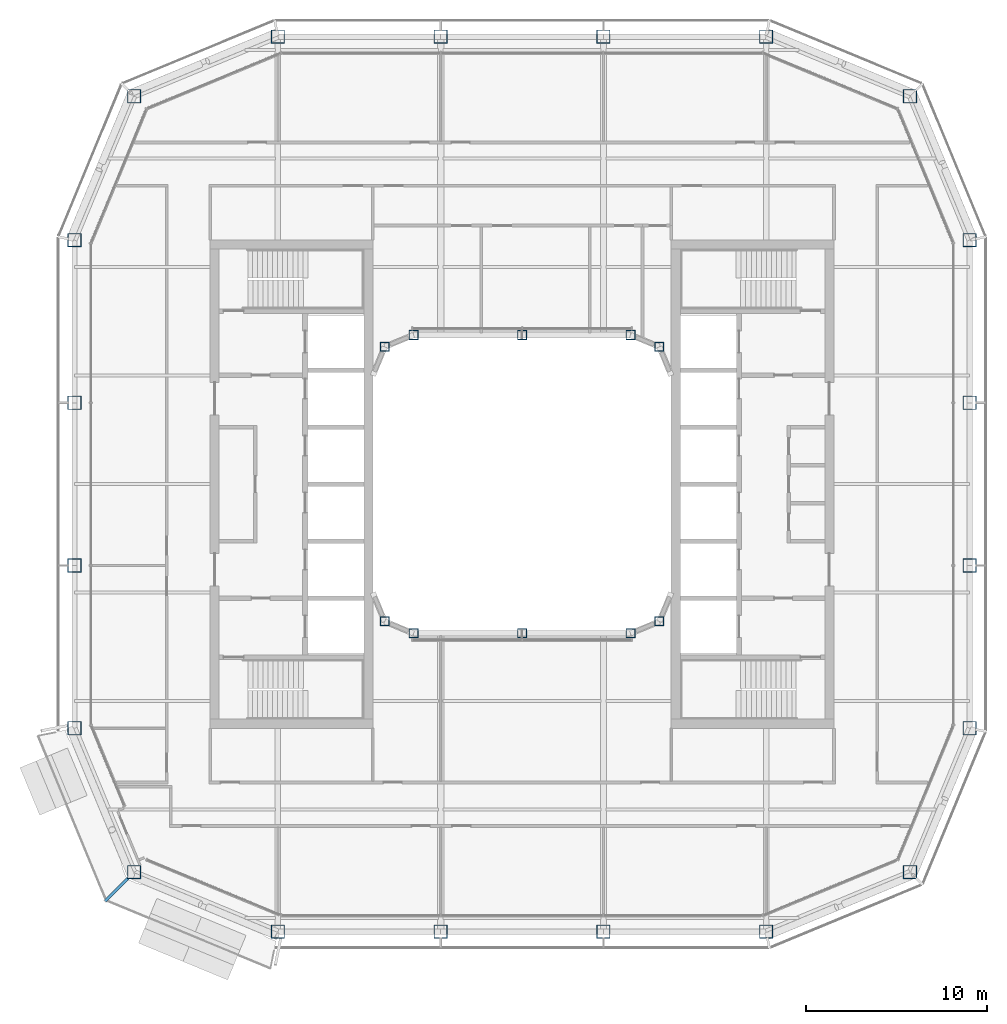
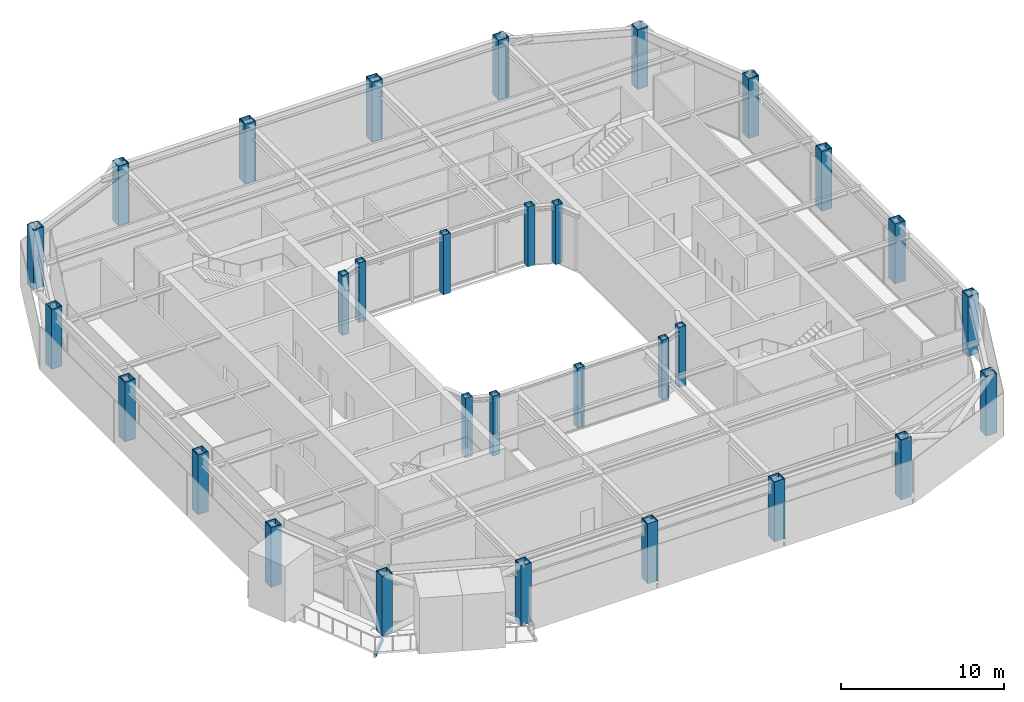
# One storey, part 1 of 20: 30 columns, 1 beam.
"""IFC4 building model written with IfcOpenShell, lengths in metres."""

from ifc_helpers import new_model, si_unit, direction, frame, origin, origin_2d, place, context, subcontext, project, spatial, hollow_rectangle, extrude, material, material_profile, profile_set, type_object, element, save


model = new_model("IFC4")

# Units and contexts
model_context = context("Model", 3, precision=1e-05, world=origin(), true_north=direction((0.0, 1.0)))
body_context = subcontext(model_context, "Body", "Model", "MODEL_VIEW")
ifc_project = project(units=[si_unit("LENGTHUNIT", "METRE"), si_unit("AREAUNIT", "SQUARE_METRE"), si_unit("VOLUMEUNIT", "CUBIC_METRE"), si_unit("PLANEANGLEUNIT", "RADIAN"), si_unit("MASSUNIT", "GRAM", prefix="KILO")], contexts=[model_context])

# Site, building, storey
site_placement = place(None, origin())
site = spatial("IfcSite", under=ifc_project, at=site_placement, CompositionType="ELEMENT")
building_placement = place(site_placement, origin())
building = spatial("IfcBuilding", under=site, at=building_placement, Name="Siwar Civic Tower", CompositionType="ELEMENT")
storey_placement = place(building_placement, frame((0.0, 0.0, 316.699951171875)))
storey = spatial("IfcBuildingStorey", under=building, at=storey_placement, Name="L68", CompositionType="ELEMENT", Elevation=316.699951171875)

# Columns
ifc_material_1 = material(Name="Steel S355", Category="steel")
ifc_material_profile_1 = material_profile(ifc_material_1, hollow_rectangle(XDim=0.75, YDim=0.75, WallThickness=0.0400390625, at=origin_2d()), Name="BOX750x750x40")
ifc_profile_set_1 = profile_set([ifc_material_profile_1], Name="Steel S355")
column_type_1 = type_object("IfcColumnType", Name="STR-COL-BOX750x750x40", PredefinedType="COLUMN", material=ifc_profile_set_1)
for number, where, z_axis, x_axis, name in (
    (1, (-13.5, -24.75, 0.0), (0.0, 0.0, 1.0), (1.0, 0.0, 0.0), "L68/col/S-0"),
    (2, (-4.5, -24.75, 0.0), (0.0, 0.0, 1.0), (1.0, 0.0, 0.0), "L68/col/S-1"),
    (3, (4.5, -24.75, 0.0), (0.0, 0.0, 1.0), (1.0, 0.0, 0.0), "L68/col/S-2"),
    (4, (13.5, -24.75, 0.0), (0.0, 0.0, 1.0), (1.0, 0.0, 0.0), "L68/col/SE1-0"),
    (5, (21.454833984375, -21.454833984375, 0.0), (0.0, 0.0, 1.0), (1.0, 0.0, 0.0), "L68/col/SE2-0"),
    (6, (24.75, -13.5, 0.0), (0.0, 0.0, 1.0), (1.0, 0.0, 0.0), "L68/col/E-0"),
    (7, (24.75, -4.5, 0.0), (0.0, 0.0, 1.0), (1.0, 0.0, 0.0), "L68/col/E-1"),
    (8, (24.75, 4.5, 0.0), (0.0, 0.0, 1.0), (1.0, 0.0, 0.0), "L68/col/E-2"),
    (9, (24.75, 13.5, 0.0), (0.0, 0.0, 1.0), (1.0, 0.0, 0.0), "L68/col/NE1-0"),
    (10, (21.454833984375, 21.454833984375, 0.0), (0.0, 0.0, 1.0), (1.0, 0.0, 0.0), "L68/col/NE2-0"),
    (11, (13.5, 24.75, 0.0), (0.0, 0.0, 1.0), (1.0, 0.0, 0.0), "L68/col/N-0"),
    (12, (4.5, 24.75, 0.0), (0.0, 0.0, 1.0), (1.0, 0.0, 0.0), "L68/col/N-1"),
    (13, (-4.5, 24.75, 0.0), (0.0, 0.0, 1.0), (1.0, 0.0, 0.0), "L68/col/N-2"),
    (14, (-13.5, 24.75, 0.0), (0.0, 0.0, 1.0), (1.0, 0.0, 0.0), "L68/col/NW1-0"),
    (15, (-21.454833984375, 21.454833984375, 0.0), (0.0, 0.0, 1.0), (1.0, 0.0, 0.0), "L68/col/NW2-0"),
    (16, (-24.75, 13.5, 0.0), (0.0, 0.0, 1.0), (1.0, 0.0, 0.0), "L68/col/W-0"),
    (17, (-24.75, 4.5, 0.0), (0.0, 0.0, 1.0), (1.0, 0.0, 0.0), "L68/col/W-1"),
    (18, (-24.75, -4.5, 0.0), (0.0, 0.0, 1.0), (1.0, 0.0, 0.0), "L68/col/W-2"),
    (19, (-24.75, -13.5, 0.0), (0.0, 0.0, 1.0), (1.0, 0.0, 0.0), "L68/col/SW1-0"),
    (20, (-21.454833984375, -21.454833984375, 0.0), (0.0, 0.0, 1.0), (1.0, 0.0, 0.0), "L68/col/SW2-0"),
):
    element("IfcColumn", number, at=place(storey_placement, frame(where, z_axis=z_axis, x_axis=x_axis)), inside=storey, type_object=column_type_1, Name=name, PredefinedType="COLUMN", context=body_context, shape_type="SweptSolid", body=[
        extrude(hollow_rectangle(XDim=0.75, YDim=0.75, WallThickness=0.0400390625, at=origin_2d()), origin(), (0.0, 0.0, 1.0), 4.5),
    ])
ifc_material_2 = material(Name="Steel S355", Category="steel")
ifc_material_profile_2 = material_profile(ifc_material_2, hollow_rectangle(XDim=0.5, YDim=0.5, WallThickness=0.02490234375, at=origin_2d()), Name="BOX500x500x25")
ifc_profile_set_2 = profile_set([ifc_material_profile_2], Name="Steel S355")
column_type_2 = type_object("IfcColumnType", Name="STR-ICOL-BOX500x500x25", PredefinedType="COLUMN", material=ifc_profile_set_2)
for number, where, z_axis, x_axis, name in (
    (21, (-7.591064453125, -7.591064453125, 0.0), (0.0, 0.0, 1.0), (1.0, 0.0, 0.0), "L68/col/IS-0"),
    (22, (-6.0, -8.25, 0.0), (0.0, 0.0, 1.0), (1.0, 0.0, 0.0), "L68/col/IS-1"),
    (23, (0.0, -8.25, 0.0), (0.0, 0.0, 1.0), (1.0, 0.0, 0.0), "L68/col/IS-2"),
    (24, (6.0, -8.25, 0.0), (0.0, 0.0, 1.0), (1.0, 0.0, 0.0), "L68/col/IS-3"),
    (25, (7.591064453125, -7.591064453125, 0.0), (0.0, 0.0, 1.0), (1.0, 0.0, 0.0), "L68/col/IS-4"),
    (26, (-7.591064453125, 7.591064453125, 0.0), (0.0, 0.0, 1.0), (1.0, 0.0, 0.0), "L68/col/IN-0"),
    (27, (-6.0, 8.25, 0.0), (0.0, 0.0, 1.0), (1.0, 0.0, 0.0), "L68/col/IN-1"),
    (28, (0.0, 8.25, 0.0), (0.0, 0.0, 1.0), (1.0, 0.0, 0.0), "L68/col/IN-2"),
    (29, (6.0, 8.25, 0.0), (0.0, 0.0, 1.0), (1.0, 0.0, 0.0), "L68/col/IN-3"),
    (30, (7.591064453125, 7.591064453125, 0.0), (0.0, 0.0, 1.0), (1.0, 0.0, 0.0), "L68/col/IN-4"),
):
    element("IfcColumn", number, at=place(storey_placement, frame(where, z_axis=z_axis, x_axis=x_axis)), inside=storey, type_object=column_type_2, Name=name, PredefinedType="COLUMN", context=body_context, shape_type="SweptSolid", body=[
        extrude(hollow_rectangle(XDim=0.5, YDim=0.5, WallThickness=0.02490234375, at=origin_2d()), origin(), (0.0, 0.0, 1.0), 4.5),
    ])

# Beam
ifc_material_3 = material(Name="Steel S355", Category="steel")
ifc_material_profile_3 = material_profile(ifc_material_3, hollow_rectangle(XDim=0.14990234375, YDim=0.25, WallThickness=0.010009765625, at=origin_2d()), Name="RHS250x150x10")
ifc_profile_set_3 = profile_set([ifc_material_profile_3], Name="Steel S355")
beam_type = type_object("IfcBeamType", Name="ENV-BALCONY ARM", PredefinedType="BEAM", material=ifc_profile_set_3)
beam_placement = place(storey_placement, frame((-21.794677734375, -21.794677734375, -0.27490234375), z_axis=(-0.707106781187, -0.707106781187, 0.0), x_axis=(0.707106781187, -0.707106781187, 0.0)))
element("IfcBeam", 31, at=beam_placement, inside=storey, type_object=beam_type, Name="Balcony cantilever beam SW 2", PredefinedType="BEAM", context=body_context, shape_type="SweptSolid", body=[
    extrude(hollow_rectangle(XDim=0.14990234375, YDim=0.25, WallThickness=0.010009765625, at=origin_2d()), origin(), (0.0, 0.0, 1.0), 1.792724609375),
])

save(model, "model.ifc")
